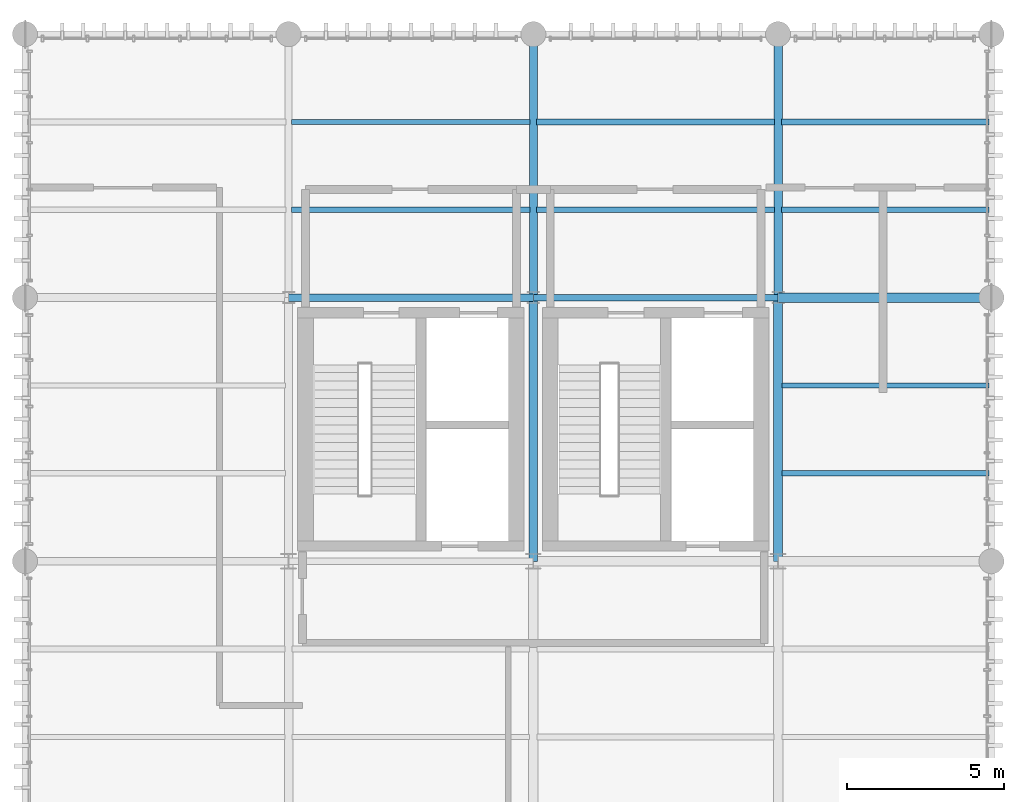
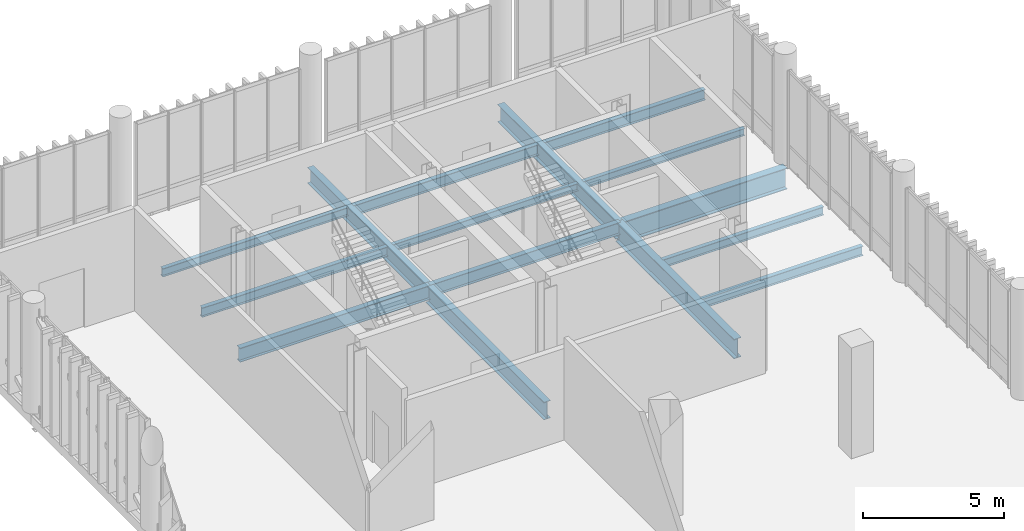
# One storey, part 73 of 109: 15 beams.
"""IFC4 building model written with IfcOpenShell, lengths in metres."""

from ifc_helpers import new_model, si_unit, direction, frame, origin_with_axes, origin_2d_with_axis, place, context, subcontext, project, spatial, i_section, extrude, material, material_profile, profile_set, type_object, element, save


model = new_model("IFC4")

# Units and contexts
model_context = context("Model", 3, precision=1e-05, world=origin_with_axes(), true_north=direction((0.0, 1.0)))
body_context = subcontext(model_context, "Body", "Model", "MODEL_VIEW")
ifc_project = project(units=[si_unit("LENGTHUNIT", "METRE"), si_unit("AREAUNIT", "SQUARE_METRE"), si_unit("VOLUMEUNIT", "CUBIC_METRE"), si_unit("PLANEANGLEUNIT", "RADIAN"), si_unit("MASSUNIT", "GRAM", prefix="KILO"), si_unit("THERMODYNAMICTEMPERATUREUNIT", "KELVIN")], contexts=[model_context])

# Site, building, storey
site_placement = place(None, origin_with_axes())
site = spatial("IfcSite", under=ifc_project, at=site_placement, CompositionType="ELEMENT")
building_placement = place(site_placement, origin_with_axes())
building = spatial("IfcBuilding", under=site, at=building_placement, Name="Montbau Bow Law Courts", CompositionType="ELEMENT")
storey_placement = place(building_placement, frame((0.0, 0.0, 10.8), z_axis=(0.0, 0.0, 1.0), x_axis=(1.0, 0.0, 0.0)))
storey = spatial("IfcBuildingStorey", under=building, at=storey_placement, Name="L02", CompositionType="ELEMENT", Elevation=10.8)

# Beams
ifc_material = material(Name="Steel CSA G40.21 Grade 350W (350 MPa)", Category="steel")
ifc_material_profile_1 = material_profile(ifc_material, i_section(OverallWidth=0.306, OverallDepth=0.919, WebThickness=0.0173, FlangeThickness=0.0279, at=origin_2d_with_axis()), Name="W920X253", Category="Main", Priority=0)
ifc_profile_set_1 = profile_set([ifc_material_profile_1], Name="Steel CSA G40.21 Grade 350W (350 MPa)")
beam_type_1 = type_object("IfcBeamType", Name="B-FLR-01", PredefinedType="BEAM", material=ifc_profile_set_1)
beam_1_placement = place(None, frame((162.6, 94.8, 10.04), z_axis=(1.0, 0.0, 0.0), x_axis=(0.0, 1.0, 0.0)))
element("IfcBeam", 1, at=beam_1_placement, inside=storey, type_object=beam_type_1, Name="BM-L02-S1180:bm2_1183", PredefinedType="BEAM", context=body_context, shape_type="SweptSolid", body=[
    extrude(i_section(OverallWidth=0.306, OverallDepth=0.919, WebThickness=0.0173, FlangeThickness=0.0279, at=origin_2d_with_axis()), origin_with_axes(), (0.0, 0.0, 1.0), 6.8),
])
ifc_material_profile_2 = material_profile(ifc_material, i_section(OverallWidth=0.293, OverallDepth=0.846, WebThickness=0.0154, FlangeThickness=0.0244, at=origin_2d_with_axis()), Name="W840X210", Category="Main", Priority=0)
ifc_profile_set_2 = profile_set([ifc_material_profile_2], Name="Steel CSA G40.21 Grade 350W (350 MPa)")
beam_type_2 = type_object("IfcBeamType", Name="B-FLR-02", PredefinedType="BEAM", material=ifc_profile_set_2)
beam_2_placement = place(None, frame((162.6, 86.4, 10.077), z_axis=(0.0, 1.0, 0.0), x_axis=(-1.0, 0.0, 0.0)))
element("IfcBeam", 2, at=beam_2_placement, inside=storey, type_object=beam_type_2, Name="BM-L02-S1199:bm2_1202", PredefinedType="BEAM", context=body_context, shape_type="SweptSolid", body=[
    extrude(i_section(OverallWidth=0.293, OverallDepth=0.846, WebThickness=0.0154, FlangeThickness=0.0244, at=origin_2d_with_axis()), origin_with_axes(), (0.0, 0.0, 1.0), 8.4),
])
ifc_material_profile_3 = material_profile(ifc_material, i_section(OverallWidth=0.267, OverallDepth=0.766, WebThickness=0.0149, FlangeThickness=0.0236, at=origin_2d_with_axis()), Name="W760X185", Category="Main", Priority=0)
ifc_profile_set_3 = profile_set([ifc_material_profile_3], Name="Steel CSA G40.21 Grade 350W (350 MPa)")
beam_type_3 = type_object("IfcBeamType", Name="B-FLR-03", PredefinedType="BEAM", material=ifc_profile_set_3)
for number, where, z_axis, x_axis, name in (
    (3, (154.8, 86.4, 10.117), (0.0, 1.0, 0.0), (-1.0, 0.0, 0.0), "BM-L02-S1195:bm2_1198"),
    (4, (162.6, 94.8, 10.117), (0.0, 1.0, 0.0), (-1.0, 0.0, 0.0), "BM-L02-S1200:bm2_1203"),
):
    element("IfcBeam", number, at=place(None, frame(where, z_axis=z_axis, x_axis=x_axis)), inside=storey, type_object=beam_type_3, Name=name, PredefinedType="BEAM", context=body_context, shape_type="SweptSolid", body=[
        extrude(i_section(OverallWidth=0.267, OverallDepth=0.766, WebThickness=0.0149, FlangeThickness=0.0236, at=origin_2d_with_axis()), origin_with_axes(), (0.0, 0.0, 1.0), 8.4),
    ])
ifc_material_profile_4 = material_profile(ifc_material, i_section(OverallWidth=0.254, OverallDepth=0.688, WebThickness=0.0131, FlangeThickness=0.0211, at=origin_2d_with_axis()), Name="W690X152", Category="Main", Priority=0)
ifc_profile_set_4 = profile_set([ifc_material_profile_4], Name="Steel CSA G40.21 Grade 350W (350 MPa)")
beam_type_4 = type_object("IfcBeamType", Name="B-FLR-04", PredefinedType="BEAM", material=ifc_profile_set_4)
beam_3_placement = place(None, frame((154.8, 94.8, 10.156), z_axis=(0.0, 1.0, 0.0), x_axis=(-1.0, 0.0, 0.0)))
element("IfcBeam", 5, at=beam_3_placement, inside=storey, type_object=beam_type_4, Name="BM-L02-S1196:bm2_1199", PredefinedType="BEAM", context=body_context, shape_type="SweptSolid", body=[
    extrude(i_section(OverallWidth=0.254, OverallDepth=0.688, WebThickness=0.0131, FlangeThickness=0.0211, at=origin_2d_with_axis()), origin_with_axes(), (0.0, 0.0, 1.0), 8.4),
])
ifc_material_profile_5 = material_profile(ifc_material, i_section(OverallWidth=0.229, OverallDepth=0.612, WebThickness=0.0119, FlangeThickness=0.0196, at=origin_2d_with_axis()), Name="W610X125", Category="Main", Priority=0)
ifc_profile_set_5 = profile_set([ifc_material_profile_5], Name="Steel CSA G40.21 Grade 350W (350 MPa)")
beam_type_5 = type_object("IfcBeamType", Name="B-FLR-05", PredefinedType="BEAM", material=ifc_profile_set_5)
beam_4_placement = place(None, frame((147.0, 94.8, 10.194), z_axis=(1.0, 0.0, 0.0), x_axis=(0.0, 1.0, 0.0)))
element("IfcBeam", 6, at=beam_4_placement, inside=storey, type_object=beam_type_5, Name="BM-L02-S1178:bm2_1181", PredefinedType="BEAM", context=body_context, shape_type="SweptSolid", body=[
    extrude(i_section(OverallWidth=0.229, OverallDepth=0.612, WebThickness=0.0119, FlangeThickness=0.0196, at=origin_2d_with_axis()), origin_with_axes(), (0.0, 0.0, 1.0), 7.8),
])
ifc_material_profile_6 = material_profile(ifc_material, i_section(OverallWidth=0.21, OverallDepth=0.537, WebThickness=0.0109, FlangeThickness=0.0174, at=origin_2d_with_axis()), Name="W530X101", Category="Main", Priority=0)
ifc_profile_set_6 = profile_set([ifc_material_profile_6], Name="Steel CSA G40.21 Grade 350W (350 MPa)")
beam_type_6 = type_object("IfcBeamType", Name="B-FLR-06", PredefinedType="BEAM", material=ifc_profile_set_6)
beam_5_placement = place(None, frame((154.8, 94.8, 10.232), z_axis=(1.0, 0.0, 0.0), x_axis=(0.0, 1.0, 0.0)))
element("IfcBeam", 7, at=beam_5_placement, inside=storey, type_object=beam_type_6, Name="BM-L02-S1179:bm2_1182", PredefinedType="BEAM", context=body_context, shape_type="SweptSolid", body=[
    extrude(i_section(OverallWidth=0.21, OverallDepth=0.537, WebThickness=0.0109, FlangeThickness=0.0174, at=origin_2d_with_axis()), origin_with_axes(), (0.0, 0.0, 1.0), 7.8),
])
ifc_material_profile_7 = material_profile(ifc_material, i_section(OverallWidth=0.191, OverallDepth=0.46, WebThickness=0.0099, FlangeThickness=0.016, at=origin_2d_with_axis()), Name="W460X82", Category="Main", Priority=0)
ifc_profile_set_7 = profile_set([ifc_material_profile_7], Name="Steel CSA G40.21 Grade 350W (350 MPa)")
beam_type_7 = type_object("IfcBeamType", Name="B-JST-01", PredefinedType="JOIST", material=ifc_profile_set_7)
beam_6_placement = place(None, frame((154.903, 100.4, 10.27), z_axis=(1.0, 0.0, 0.0), x_axis=(0.0, 1.0, 0.0)))
element("IfcBeam", 8, at=beam_6_placement, inside=storey, type_object=beam_type_7, Name="JST-L02-S0628:jst2_0628", PredefinedType="JOIST", context=body_context, shape_type="SweptSolid", body=[
    extrude(i_section(OverallWidth=0.191, OverallDepth=0.46, WebThickness=0.0099, FlangeThickness=0.016, at=origin_2d_with_axis()), origin_with_axes(), (0.0, 0.0, 1.0), 7.587),
])
beam_7_placement = place(None, frame((162.709, 100.4, 10.27), z_axis=(1.0, 0.0, 0.0), x_axis=(0.0, 1.0, 0.0)))
element("IfcBeam", 9, at=beam_7_placement, inside=storey, type_object=beam_type_7, Name="JST-L02-S0636:jst2_0636", PredefinedType="JOIST", context=body_context, shape_type="SweptSolid", body=[
    extrude(i_section(OverallWidth=0.191, OverallDepth=0.46, WebThickness=0.0099, FlangeThickness=0.016, at=origin_2d_with_axis()), origin_with_axes(), (0.0, 0.0, 1.0), 6.611),
])
ifc_material_profile_8 = material_profile(ifc_material, i_section(OverallWidth=0.179, OverallDepth=0.41, WebThickness=0.0088, FlangeThickness=0.0144, at=origin_2d_with_axis()), Name="W410X67", Category="Main", Priority=0)
ifc_profile_set_8 = profile_set([ifc_material_profile_8], Name="Steel CSA G40.21 Grade 350W (350 MPa)")
beam_type_8 = type_object("IfcBeamType", Name="B-JST-02", PredefinedType="JOIST", material=ifc_profile_set_8)
beam_8_placement = place(None, frame((147.09, 97.6, 10.295), z_axis=(1.0, 0.0, 0.0), x_axis=(0.0, 1.0, 0.0)))
element("IfcBeam", 10, at=beam_8_placement, inside=storey, type_object=beam_type_8, Name="JST-L02-S0621:jst2_0621", PredefinedType="JOIST", context=body_context, shape_type="SweptSolid", body=[
    extrude(i_section(OverallWidth=0.179, OverallDepth=0.41, WebThickness=0.0088, FlangeThickness=0.0144, at=origin_2d_with_axis()), origin_with_axes(), (0.0, 0.0, 1.0), 7.607),
])
beam_9_placement = place(None, frame((162.722, 89.2, 10.295), z_axis=(1.0, 0.0, 0.0), x_axis=(0.0, 1.0, 0.0)))
element("IfcBeam", 11, at=beam_9_placement, inside=storey, type_object=beam_type_8, Name="JST-L02-S0633:jst2_0633", PredefinedType="JOIST", context=body_context, shape_type="SweptSolid", body=[
    extrude(i_section(OverallWidth=0.179, OverallDepth=0.41, WebThickness=0.0088, FlangeThickness=0.0144, at=origin_2d_with_axis()), origin_with_axes(), (0.0, 0.0, 1.0), 6.598),
])
ifc_material_profile_9 = material_profile(ifc_material, i_section(OverallWidth=0.172, OverallDepth=0.358, WebThickness=0.0079, FlangeThickness=0.0131, at=origin_2d_with_axis()), Name="W360X57", Category="Main", Priority=0)
ifc_profile_set_9 = profile_set([ifc_material_profile_9], Name="Steel CSA G40.21 Grade 350W (350 MPa)")
beam_type_9 = type_object("IfcBeamType", Name="B-JST-03", PredefinedType="JOIST", material=ifc_profile_set_9)
beam_10_placement = place(None, frame((147.09, 100.4, 10.321), z_axis=(1.0, 0.0, 0.0), x_axis=(0.0, 1.0, 0.0)))
element("IfcBeam", 12, at=beam_10_placement, inside=storey, type_object=beam_type_9, Name="JST-L02-S0622:jst2_0622", PredefinedType="JOIST", context=body_context, shape_type="SweptSolid", body=[
    extrude(i_section(OverallWidth=0.172, OverallDepth=0.358, WebThickness=0.0079, FlangeThickness=0.0131, at=origin_2d_with_axis()), origin_with_axes(), (0.0, 0.0, 1.0), 7.607),
])
beam_11_placement = place(None, frame((162.722, 92.0, 10.321), z_axis=(1.0, 0.0, 0.0), x_axis=(0.0, 1.0, 0.0)))
element("IfcBeam", 13, at=beam_11_placement, inside=storey, type_object=beam_type_9, Name="JST-L02-S0634:jst2_0634", PredefinedType="JOIST", context=body_context, shape_type="SweptSolid", body=[
    extrude(i_section(OverallWidth=0.172, OverallDepth=0.358, WebThickness=0.0079, FlangeThickness=0.0131, at=origin_2d_with_axis()), origin_with_axes(), (0.0, 0.0, 1.0), 6.598),
])
ifc_material_profile_10 = material_profile(ifc_material, i_section(OverallWidth=0.166, OverallDepth=0.313, WebThickness=0.0066, FlangeThickness=0.0112, at=origin_2d_with_axis()), Name="W310X45", Category="Main", Priority=0)
ifc_profile_set_10 = profile_set([ifc_material_profile_10], Name="Steel CSA G40.21 Grade 350W (350 MPa)")
beam_type_10 = type_object("IfcBeamType", Name="B-JST-04", PredefinedType="JOIST", material=ifc_profile_set_10)
beam_12_placement = place(None, frame((154.903, 97.6, 10.344), z_axis=(1.0, 0.0, 0.0), x_axis=(0.0, 1.0, 0.0)))
element("IfcBeam", 14, at=beam_12_placement, inside=storey, type_object=beam_type_10, Name="JST-L02-S0627:jst2_0627", PredefinedType="JOIST", context=body_context, shape_type="SweptSolid", body=[
    extrude(i_section(OverallWidth=0.166, OverallDepth=0.313, WebThickness=0.0066, FlangeThickness=0.0112, at=origin_2d_with_axis()), origin_with_axes(), (0.0, 0.0, 1.0), 7.587),
])
beam_13_placement = place(None, frame((162.709, 97.6, 10.344), z_axis=(1.0, 0.0, 0.0), x_axis=(0.0, 1.0, 0.0)))
element("IfcBeam", 15, at=beam_13_placement, inside=storey, type_object=beam_type_10, Name="JST-L02-S0635:jst2_0635", PredefinedType="JOIST", context=body_context, shape_type="SweptSolid", body=[
    extrude(i_section(OverallWidth=0.166, OverallDepth=0.313, WebThickness=0.0066, FlangeThickness=0.0112, at=origin_2d_with_axis()), origin_with_axes(), (0.0, 0.0, 1.0), 6.611),
])

save(model, "model.ifc")
